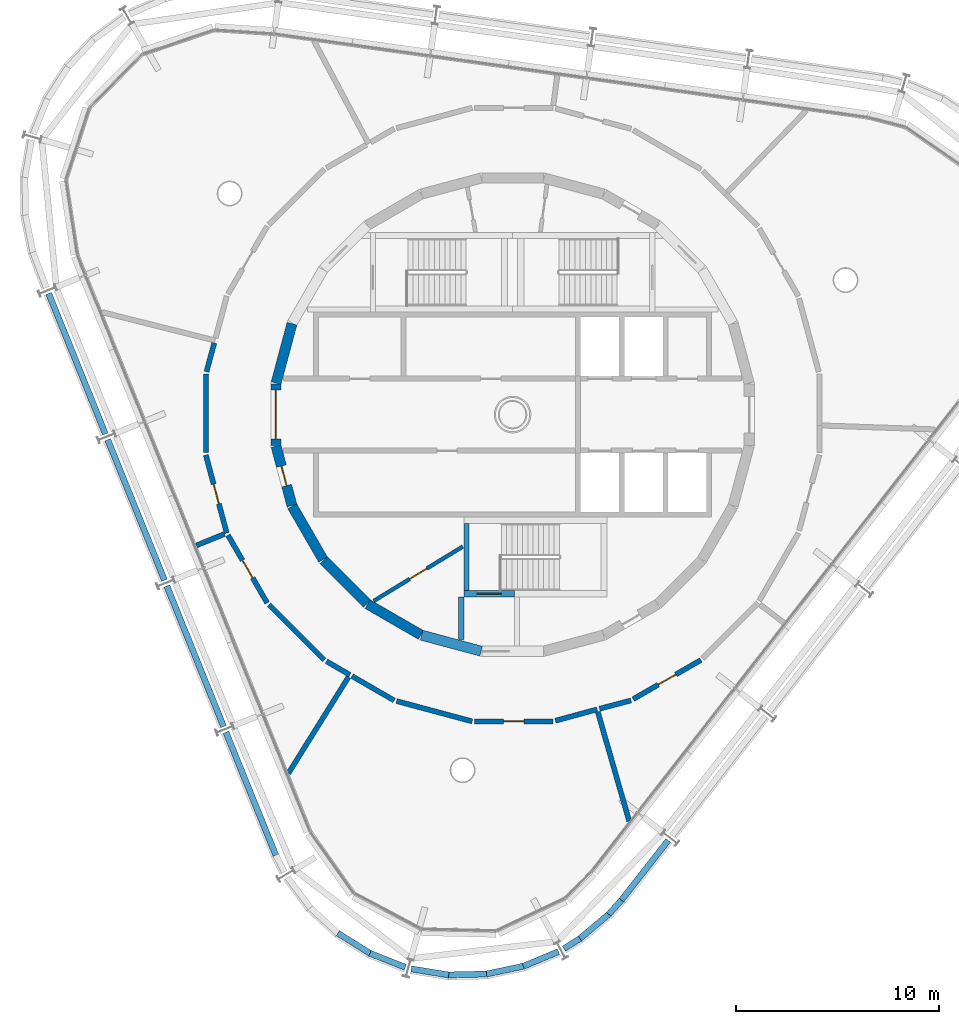
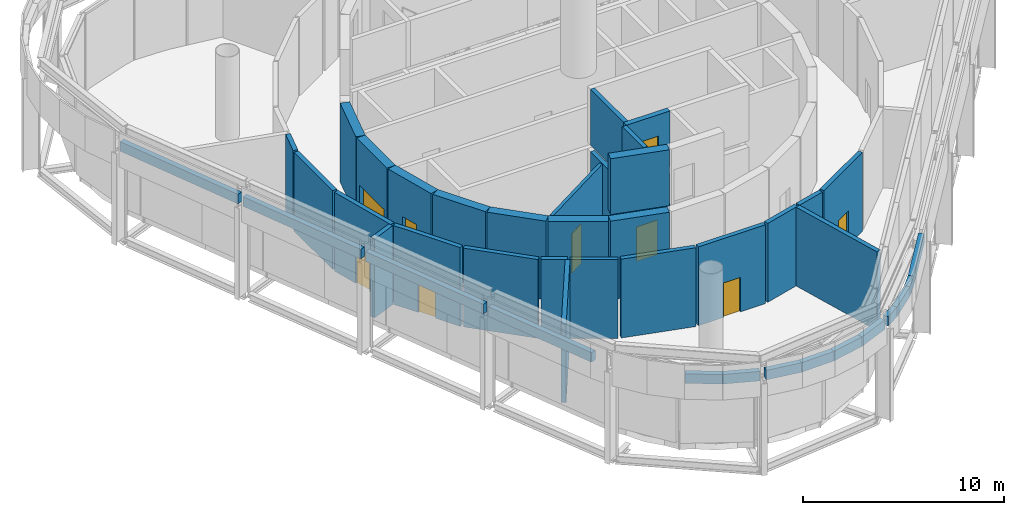
# One storey, part 9 of 15: 44 walls, 9 doors, 9 openings.
"""IFC4 building model written with IfcOpenShell, lengths in metres."""

from ifc_helpers import new_model, si_unit, direction, frame, frame_2d, origin, place, context, subcontext, project, spatial, rectangle, extrude, material, layer, layer_set, type_object, element, fill, save


model = new_model("IFC4")

# Units and contexts
model_context = context("Model", 3, precision=1e-05, world=origin(), true_north=direction((0.0, 1.0)))
body_context = subcontext(model_context, "Body", "Model", "MODEL_VIEW")
ifc_project = project(units=[si_unit("LENGTHUNIT", "METRE"), si_unit("AREAUNIT", "SQUARE_METRE"), si_unit("VOLUMEUNIT", "CUBIC_METRE"), si_unit("PLANEANGLEUNIT", "RADIAN"), si_unit("MASSUNIT", "GRAM", prefix="KILO")], contexts=[model_context])

# Site, building, storey
site_placement = place(None, origin())
site = spatial("IfcSite", under=ifc_project, at=site_placement, CompositionType="ELEMENT")
building_placement = place(site_placement, origin())
building = spatial("IfcBuilding", under=site, at=building_placement, Name="Spindle Arch Residences", CompositionType="ELEMENT")
storey_placement = place(building_placement, frame((0.0, 0.0, 366.199951171875)))
storey = spatial("IfcBuildingStorey", under=building, at=storey_placement, Name="L94", CompositionType="ELEMENT", Elevation=366.199951171875)

# Wall
ifc_material_1 = material(Name="Concrete C50/60", Category="concrete")
ifc_layer_1 = layer(ifc_material_1, 0.5)
ifc_layer_set_1 = layer_set([ifc_layer_1], Name="Core outline wall 500")
wall_type_1 = type_object("IfcWallType", Name="Core outline wall 500", PredefinedType="SHEAR", material=ifc_layer_set_1)
wall_1_placement = place(storey_placement, frame((-10.858154296875, 4.479248046875, 0.0), z_axis=(0.0, 0.0, 1.0), x_axis=(-0.258734743916, -0.965948410781, 0.0)))
element("IfcWall", 1, at=wall_1_placement, inside=storey, type_object=wall_type_1, Name="Core outline wall 17", PredefinedType="SHEAR", context=body_context, shape_type="SweptSolid", body=[
    extrude(rectangle(XDim=3.03271484375, YDim=0.5, at=frame_2d((1.516357421875, 0.0))), origin(), (0.0, 0.0, 1.0), 4.800048828125),
])

# Wall, opening, door
wall_2_placement = place(storey_placement, frame((-11.647216796875, 1.516357421875, 0.0), z_axis=(0.0, 0.0, 1.0), x_axis=(0.0, -1.0, 0.0)))
wall_2 = element("IfcWall", 2, at=wall_2_placement, inside=storey, type_object=wall_type_1, Name="Core outline wall 18", PredefinedType="SHEAR", context=body_context, shape_type="SweptSolid", body=[
    extrude(rectangle(XDim=3.03271484375, YDim=0.5, at=frame_2d((1.516357421875, 0.0))), origin(), (0.0, 0.0, 1.0), 4.800048828125),
])
opening_1_placement = place(wall_2_placement, frame((0.31640625, 0.0, 0.0)))
opening_1 = element("IfcOpeningElement", 3, at=opening_1_placement, cuts=wall_2, Name="Opening L94-LE01", PredefinedType="OPENING", context=body_context, shape_type="SweptSolid", body=[
    extrude(rectangle(XDim=2.39990234375, YDim=2.10009765625, at=frame_2d((1.199951171875, 1.050048828125))), frame((0.0, 0.260009765625, 0.0), z_axis=(0.0, -1.0, 0.0), x_axis=(1.0, 0.0, 0.0)), (0.0, 0.0, 1.0), 0.52001953125),
])
ifc_material_2 = material(Name="Steel, fire-resisting door", Category="steel")
door_type_1 = type_object("IfcDoorType", Name="Lift lobby entrance door 2400x2100", OperationType="DOUBLE_DOOR_SINGLE_SWING", PredefinedType="DOOR", material=ifc_material_2)
door_1_placement = place(opening_1_placement, origin())
door_1 = element("IfcDoor", 4, at=door_1_placement, inside=storey, type_object=door_type_1, Name="Lift lobby entrance door L94-LE01", OperationType="DOUBLE_DOOR_SINGLE_SWING", OverallHeight=2.10009765625, OverallWidth=2.39990234375, PredefinedType="DOOR", context=body_context, shape_type="SweptSolid", body=[
    extrude(rectangle(XDim=2.39990234375, YDim=2.10009765625, at=frame_2d((1.199951171875, 1.050048828125))), frame((0.0, 0.02490234375, 0.0), z_axis=(0.0, -1.0, 0.0), x_axis=(1.0, 0.0, 0.0)), (0.0, 0.0, 1.0), 0.050048828125),
])
fill(opening_1, door_1)

wall_3_placement = place(storey_placement, frame((-11.642822265625, -1.5498046875, 0.0), z_axis=(0.0, 0.0, 1.0), x_axis=(0.258734743916, -0.965948410781, 0.0)))
wall_3 = element("IfcWall", 5, at=wall_3_placement, inside=storey, type_object=wall_type_1, Name="Core outline wall 19", PredefinedType="SHEAR", context=body_context, shape_type="SweptSolid", body=[
    extrude(rectangle(XDim=3.03271484375, YDim=0.5, at=frame_2d((1.516357421875, 0.0))), origin(), (0.0, 0.0, 1.0), 4.800048828125),
])
opening_2_placement = place(wall_3_placement, frame((1.016357421875, 0.0, 0.0)))
opening_2 = element("IfcOpeningElement", 6, at=opening_2_placement, cuts=wall_3, Name="Opening L94-PD09", PredefinedType="OPENING", context=body_context, shape_type="SweptSolid", body=[
    extrude(rectangle(XDim=1.0, YDim=2.39990234375, at=frame_2d((0.5, 1.199951171875))), frame((0.0, 0.260009765625, 0.0), z_axis=(0.0, -1.0, 0.0), x_axis=(1.0, 0.0, 0.0)), (0.0, 0.0, 1.0), 0.52001953125),
])
ifc_material_3 = material(Name="Steel, fire-resisting door", Category="steel")
door_type_2 = type_object("IfcDoorType", Name="Plant room door 1000x2400", OperationType="SINGLE_SWING_LEFT", PredefinedType="DOOR", material=ifc_material_3)
door_2_placement = place(opening_2_placement, origin())
door_2 = element("IfcDoor", 7, at=door_2_placement, inside=storey, type_object=door_type_2, Name="Plant room door L94-PD09", OperationType="SINGLE_SWING_RIGHT", OverallHeight=2.39990234375, OverallWidth=1.0, PredefinedType="DOOR", context=body_context, shape_type="SweptSolid", body=[
    extrude(rectangle(XDim=1.0, YDim=2.39990234375, at=frame_2d((0.5, 1.199951171875))), frame((0.0, 0.02490234375, 0.0), z_axis=(0.0, -1.0, 0.0), x_axis=(1.0, 0.0, 0.0)), (0.0, 0.0, 1.0), 0.050048828125),
])
fill(opening_2, door_2)

# Walls
wall_4_placement = place(storey_placement, frame((-10.84521484375, -4.510498046875, 0.0), z_axis=(0.0, 0.0, 1.0), x_axis=(0.500087131594, -0.865975092491, 0.0)))
element("IfcWall", 8, at=wall_4_placement, inside=storey, type_object=wall_type_1, Name="Core outline wall 20", PredefinedType="SHEAR", context=body_context, shape_type="SweptSolid", body=[
    extrude(rectangle(XDim=3.03271484375, YDim=0.5, at=frame_2d((1.516357421875, 0.0))), origin(), (0.0, 0.0, 1.0), 4.800048828125),
])
wall_5_placement = place(storey_placement, frame((-9.30810546875, -7.163818359375, 0.0), z_axis=(0.0, 0.0, 1.0), x_axis=(0.707106781187, -0.707106781187, 0.0)))
element("IfcWall", 9, at=wall_5_placement, inside=storey, type_object=wall_type_1, Name="Core outline wall 21", PredefinedType="SHEAR", context=body_context, shape_type="SweptSolid", body=[
    extrude(rectangle(XDim=3.032470703125, YDim=0.5, at=frame_2d((1.51611328125, 0.0))), origin(), (0.0, 0.0, 1.0), 4.800048828125),
])
for number, where, z_axis, x_axis, name in (
    (10, (-7.13671875, -9.32861328125, 0.0), (0.0, 0.0, 1.0), (0.865975092491, -0.500087131594, 0.0), "Core outline wall 22"),
    (11, (-4.479248046875, -10.858154296875, 0.0), (0.0, 0.0, 1.0), (0.965948410781, -0.258734743916, 0.0), "Core outline wall 23"),
):
    element("IfcWall", number, at=place(storey_placement, frame(where, z_axis=z_axis, x_axis=x_axis)), inside=storey, type_object=wall_type_1, Name=name, PredefinedType="SHEAR", context=body_context, shape_type="SweptSolid", body=[
        extrude(rectangle(XDim=3.03271484375, YDim=0.5, at=frame_2d((1.516357421875, 0.0))), origin(), (0.0, 0.0, 1.0), 4.800048828125),
    ])
wall_6_placement = place(storey_placement, frame((-4.479248046875, -10.858154296875, 5.199951171875), z_axis=(0.0, 0.0, 1.0), x_axis=(0.965948410781, -0.258734743916, 0.0)))
element("IfcWall", 12, at=wall_6_placement, inside=storey, type_object=wall_type_1, Name="Head-house ST-3 outer wall", PredefinedType="SHEAR", context=body_context, shape_type="SweptSolid", body=[
    extrude(rectangle(XDim=3.03271484375, YDim=0.5, at=frame_2d((1.516357421875, 0.0))), origin(), (0.0, 0.0, 1.0), 3.400146484375),
])
ifc_material_4 = material(Name="Concrete C40/50", Category="concrete")
ifc_layer_2 = layer(ifc_material_4, 0.300048828125)
ifc_layer_set_2 = layer_set([ifc_layer_2], Name="Crown parapet infill 580")
wall_type_2 = type_object("IfcWallType", Name="Crown parapet infill 580", PredefinedType="PARAPET", material=ifc_layer_set_2)
wall_7_placement = place(storey_placement, frame((-22.83642578125, 5.966796875, 5.199951171875), z_axis=(0.0, 0.0, 1.0), x_axis=(0.374607955373, -0.927183304299, 0.0)))
element("IfcWall", 13, at=wall_7_placement, inside=storey, type_object=wall_type_2, Name="Crown parapet infill 12.1", PredefinedType="PARAPET", context=body_context, shape_type="SweptSolid", body=[
    extrude(rectangle(XDim=7.465576171875, YDim=0.300048828125, at=frame_2d((3.73291015625, 0.0))), origin(), (0.0, 0.0, 1.0), 0.580078125),
])
wall_8_placement = place(storey_placement, frame((-19.927490234375, -1.2333984375, 5.199951171875), z_axis=(0.0, 0.0, 1.0), x_axis=(0.374596597098, -0.927187893279, 0.0)))
element("IfcWall", 14, at=wall_8_placement, inside=storey, type_object=wall_type_2, Name="Crown parapet infill 13.1", PredefinedType="PARAPET", context=body_context, shape_type="SweptSolid", body=[
    extrude(rectangle(XDim=7.4658203125, YDim=0.300048828125, at=frame_2d((3.73291015625, 0.0))), origin(), (0.0, 0.0, 1.0), 0.580078125),
])
wall_9_placement = place(storey_placement, frame((-17.018310546875, -8.43359375, 5.199951171875), z_axis=(0.0, 0.0, 1.0), x_axis=(0.374607955373, -0.927183304299, 0.0)))
element("IfcWall", 15, at=wall_9_placement, inside=storey, type_object=wall_type_2, Name="Crown parapet infill 14.1", PredefinedType="PARAPET", context=body_context, shape_type="SweptSolid", body=[
    extrude(rectangle(XDim=7.465576171875, YDim=0.300048828125, at=frame_2d((3.73291015625, 0.0))), origin(), (0.0, 0.0, 1.0), 0.580078125),
])
wall_10_placement = place(storey_placement, frame((-14.109375, -15.6337890625, 5.199951171875), z_axis=(0.0, 0.0, 1.0), x_axis=(0.375946149404, -0.926641512532, 0.0)))
element("IfcWall", 16, at=wall_10_placement, inside=storey, type_object=wall_type_2, Name="Crown parapet infill 15.1", PredefinedType="PARAPET", context=body_context, shape_type="SweptSolid", body=[
    extrude(rectangle(XDim=6.53564453125, YDim=0.300048828125, at=frame_2d((3.267822265625, 0.0))), origin(), (0.0, 0.0, 1.0), 0.580078125),
])
wall_11_placement = place(storey_placement, frame((-8.59619140625, -25.528076171875, 5.199951171875), z_axis=(0.0, 0.0, 1.0), x_axis=(0.847362186993, -0.531015370827, 0.0)))
element("IfcWall", 17, at=wall_11_placement, inside=storey, type_object=wall_type_2, Name="Crown parapet infill 16.3", PredefinedType="PARAPET", context=body_context, shape_type="SweptSolid", body=[
    extrude(rectangle(XDim=1.877685546875, YDim=0.300048828125, at=frame_2d((0.93896484375, 0.0))), origin(), (0.0, 0.0, 1.0), 0.580078125),
])
wall_12_placement = place(storey_placement, frame((-7.017333984375, -26.518798828125, 5.199951171875), z_axis=(0.0, 0.0, 1.0), x_axis=(0.930470422732, -0.366367018741, 0.0)))
element("IfcWall", 18, at=wall_12_placement, inside=storey, type_object=wall_type_2, Name="Crown parapet infill 16.4", PredefinedType="PARAPET", context=body_context, shape_type="SweptSolid", body=[
    extrude(rectangle(XDim=1.87060546875, YDim=0.300048828125, at=frame_2d((0.935302734375, 0.0))), origin(), (0.0, 0.0, 1.0), 0.580078125),
])
wall_13_placement = place(storey_placement, frame((-4.987548828125, -27.283447265625, 5.199951171875), z_axis=(0.0, 0.0, 1.0), x_axis=(0.987138338559, -0.159868385079, 0.0)))
element("IfcWall", 19, at=wall_13_placement, inside=storey, type_object=wall_type_2, Name="Crown parapet infill 17.1", PredefinedType="PARAPET", context=body_context, shape_type="SweptSolid", body=[
    extrude(rectangle(XDim=1.870849609375, YDim=0.300048828125, at=frame_2d((0.935546875, 0.0))), origin(), (0.0, 0.0, 1.0), 0.580078125),
])
for number, where, z_axis, x_axis, name in (
    (20, (-3.154541015625, -27.58154296875, 5.199951171875), (0.0, 0.0, 1.0), (0.999704311924, 0.024316429023, 0.0), "Crown parapet infill 17.2"),
    (21, (-1.291259765625, -27.53759765625, 5.199951171875), (0.0, 0.0, 1.0), (0.978228525842, 0.207530603116, 0.0), "Crown parapet infill 17.3"),
):
    element("IfcWall", number, at=place(storey_placement, frame(where, z_axis=z_axis, x_axis=x_axis)), inside=storey, type_object=wall_type_2, Name=name, PredefinedType="PARAPET", context=body_context, shape_type="SweptSolid", body=[
        extrude(rectangle(XDim=1.87744140625, YDim=0.300048828125, at=frame_2d((0.938720703125, 0.0))), origin(), (0.0, 0.0, 1.0), 0.580078125),
    ])
wall_14_placement = place(storey_placement, frame((0.5322265625, -27.152099609375, 5.199951171875), z_axis=(0.0, 0.0, 1.0), x_axis=(0.923416325606, 0.383799804071, 0.0)))
element("IfcWall", 22, at=wall_14_placement, inside=storey, type_object=wall_type_2, Name="Crown parapet infill 17.4", PredefinedType="PARAPET", context=body_context, shape_type="SweptSolid", body=[
    extrude(rectangle(XDim=1.870849609375, YDim=0.300048828125, at=frame_2d((0.935546875, 0.0))), origin(), (0.0, 0.0, 1.0), 0.580078125),
])
wall_15_placement = place(storey_placement, frame((2.522705078125, -26.2900390625, 5.199951171875), z_axis=(0.0, 0.0, 1.0), x_axis=(0.846180693164, 0.532896082287, 0.0)))
element("IfcWall", 23, at=wall_15_placement, inside=storey, type_object=wall_type_2, Name="Crown parapet infill 18.1", PredefinedType="PARAPET", context=body_context, shape_type="SweptSolid", body=[
    extrude(rectangle(XDim=0.938232421875, YDim=0.300048828125, at=frame_2d((0.46923828125, 0.0))), origin(), (0.0, 0.0, 1.0), 0.580078125),
])
wall_16_placement = place(storey_placement, frame((3.30810546875, -25.796142578125, 5.199951171875), z_axis=(0.0, 0.0, 1.0), x_axis=(0.764363704837, 0.644785333835, 0.0)))
element("IfcWall", 24, at=wall_16_placement, inside=storey, type_object=wall_type_2, Name="Crown parapet infill 18.2", PredefinedType="PARAPET", context=body_context, shape_type="SweptSolid", body=[
    extrude(rectangle(XDim=1.874267578125, YDim=0.300048828125, at=frame_2d((0.93701171875, 0.0))), origin(), (0.0, 0.0, 1.0), 0.580078125),
])
wall_17_placement = place(storey_placement, frame((4.733154296875, -24.594970703125, 5.199951171875), z_axis=(0.0, 0.0, 1.0), x_axis=(0.668060859654, 0.744106637384, 0.0)))
element("IfcWall", 25, at=wall_17_placement, inside=storey, type_object=wall_type_2, Name="Crown parapet infill 18.3", PredefinedType="PARAPET", context=body_context, shape_type="SweptSolid", body=[
    extrude(rectangle(XDim=0.940673828125, YDim=0.300048828125, at=frame_2d((0.47021484375, 0.0))), origin(), (0.0, 0.0, 1.0), 0.580078125),
])
wall_18_placement = place(storey_placement, frame((5.3583984375, -23.898681640625, 5.199951171875), z_axis=(0.0, 0.0, 1.0), x_axis=(0.61616902221, 0.787613951165, 0.0)))
element("IfcWall", 26, at=wall_18_placement, inside=storey, type_object=wall_type_2, Name="Crown parapet infill 18.4", PredefinedType="PARAPET", context=body_context, shape_type="SweptSolid", body=[
    extrude(rectangle(XDim=3.735107421875, YDim=0.300048828125, at=frame_2d((1.86767578125, 0.0))), origin(), (0.0, 0.0, 1.0), 0.580078125),
])

# Wall, opening, door
ifc_material_5 = material(Name="Concrete C25/30 wall", Category="concrete")
ifc_layer_3 = layer(ifc_material_5, 0.25)
ifc_layer_set_3 = layer_set([ifc_layer_3], Name="Partition EI 120 250 plant")
wall_type_3 = type_object("IfcWallType", Name="Partition EI 120 250 plant", PredefinedType="PARTITIONING", material=ifc_layer_set_3)
wall_19_placement = place(storey_placement, frame((-15.10009765625, -1.989990234375, 0.0), z_axis=(0.0, 0.0, 1.0), x_axis=(0.259072679895, -0.965857829358, 0.0)))
wall_19 = element("IfcWall", 27, at=wall_19_placement, inside=storey, type_object=wall_type_3, Name="L94-W001", PredefinedType="PARTITIONING", context=body_context, shape_type="SweptSolid", body=[
    extrude(rectangle(XDim=3.975830078125, YDim=0.25, at=frame_2d((1.98779296875, 0.0))), origin(), (0.0, 0.0, 1.0), 4.800048828125),
])
opening_3_placement = place(wall_19_placement, frame((1.48779296875, 0.0, 0.0)))
opening_3 = element("IfcOpeningElement", 28, at=opening_3_placement, cuts=wall_19, Name="Opening L94-D05", PredefinedType="OPENING", context=body_context, shape_type="SweptSolid", body=[
    extrude(rectangle(XDim=1.0, YDim=2.10009765625, at=frame_2d((0.5, 1.050048828125))), frame((0.0, 0.135009765625, 0.0), z_axis=(0.0, -1.0, 0.0), x_axis=(1.0, 0.0, 0.0)), (0.0, 0.0, 1.0), 0.27001953125),
])
ifc_material_6 = material(Name="Steel door leaf, painted", Category="steel")
door_type_3 = type_object("IfcDoorType", Name="Door 1000x2100 EI 60", OperationType="SINGLE_SWING_LEFT", PredefinedType="DOOR", material=ifc_material_6)
door_3_placement = place(opening_3_placement, origin())
door_3 = element("IfcDoor", 29, at=door_3_placement, inside=storey, type_object=door_type_3, Name="L94-D05", OperationType="SINGLE_SWING_LEFT", OverallHeight=2.10009765625, OverallWidth=1.0, PredefinedType="DOOR", context=body_context, shape_type="SweptSolid", body=[
    extrude(rectangle(XDim=1.0, YDim=2.10009765625, at=frame_2d((0.5, 1.050048828125))), frame((0.0, 0.02490234375, 0.0), z_axis=(0.0, -1.0, 0.0), x_axis=(1.0, 0.0, 0.0)), (0.0, 0.0, 1.0), 0.050048828125),
])
fill(opening_3, door_3)

# Walls
wall_20_placement = place(storey_placement, frame((-15.10009765625, 1.989990234375, 0.0), z_axis=(0.0, 0.0, 1.0), x_axis=(0.0, -1.0, 0.0)))
element("IfcWall", 30, at=wall_20_placement, inside=storey, type_object=wall_type_3, Name="L94-W002", PredefinedType="PARTITIONING", context=body_context, shape_type="SweptSolid", body=[
    extrude(rectangle(XDim=3.85498046875, YDim=0.25, at=frame_2d((1.927490234375, 0.0))), origin(), (0.0, 0.0, 1.0), 4.800048828125),
])
wall_21_placement = place(storey_placement, frame((-14.6826171875, 3.529296875, 0.0), z_axis=(0.0, 0.0, 1.0), x_axis=(-0.261753947787, -0.9651346387, 0.0)))
element("IfcWall", 31, at=wall_21_placement, inside=storey, type_object=wall_type_3, Name="L94-W004", PredefinedType="PARTITIONING", context=body_context, shape_type="SweptSolid", body=[
    extrude(rectangle(XDim=1.469970703125, YDim=0.25, at=frame_2d((0.73486328125, 0.0))), origin(), (0.0, 0.0, 1.0), 4.800048828125),
])
wall_22_placement = place(storey_placement, frame((-14.185791015625, -5.87744140625, 0.0), z_axis=(0.0, 0.0, 1.0), x_axis=(-0.925476228273, -0.378805690165, 0.0)))
element("IfcWall", 32, at=wall_22_placement, inside=storey, type_object=wall_type_3, Name="L94-W005", PredefinedType="PARTITIONING", context=body_context, shape_type="SweptSolid", body=[
    extrude(rectangle(XDim=1.48486328125, YDim=0.25, at=frame_2d((0.742431640625, 0.0))), origin(), (0.0, 0.0, 1.0), 4.800048828125),
])

# Wall, opening, door
wall_23_placement = place(storey_placement, frame((-14.00732421875, -5.938232421875, 0.0), z_axis=(0.0, 0.0, 1.0), x_axis=(0.500708693508, -0.865615852585, 0.0)))
wall_23 = element("IfcWall", 33, at=wall_23_placement, inside=storey, type_object=wall_type_3, Name="L94-W006", PredefinedType="PARTITIONING", context=body_context, shape_type="SweptSolid", body=[
    extrude(rectangle(XDim=3.84912109375, YDim=0.25, at=frame_2d((1.924560546875, 0.0))), origin(), (0.0, 0.0, 1.0), 4.800048828125),
])
opening_4_placement = place(wall_23_placement, frame((1.424560546875, 0.0, 0.0)))
opening_4 = element("IfcOpeningElement", 34, at=opening_4_placement, cuts=wall_23, Name="Opening L94-D03", PredefinedType="OPENING", context=body_context, shape_type="SweptSolid", body=[
    extrude(rectangle(XDim=1.0, YDim=2.10009765625, at=frame_2d((0.5, 1.050048828125))), frame((0.0, 0.135009765625, 0.0), z_axis=(0.0, -1.0, 0.0), x_axis=(1.0, 0.0, 0.0)), (0.0, 0.0, 1.0), 0.27001953125),
])
door_4_placement = place(opening_4_placement, origin())
door_4 = element("IfcDoor", 35, at=door_4_placement, inside=storey, type_object=door_type_3, Name="L94-D03", OperationType="SINGLE_SWING_LEFT", OverallHeight=2.10009765625, OverallWidth=1.0, PredefinedType="DOOR", context=body_context, shape_type="SweptSolid", body=[
    extrude(rectangle(XDim=1.0, YDim=2.10009765625, at=frame_2d((0.5, 1.050048828125))), frame((0.0, 0.02490234375, 0.0), z_axis=(0.0, -1.0, 0.0), x_axis=(1.0, 0.0, 0.0)), (0.0, 0.0, 1.0), 0.050048828125),
])
fill(opening_4, door_4)

# Walls
wall_24_placement = place(storey_placement, frame((-11.99169921875, -9.3583984375, 0.0), z_axis=(0.0, 0.0, 1.0), x_axis=(0.707106781187, -0.707106781187, 0.0)))
element("IfcWall", 36, at=wall_24_placement, inside=storey, type_object=wall_type_3, Name="L94-W008", PredefinedType="PARTITIONING", context=body_context, shape_type="SweptSolid", body=[
    extrude(rectangle(XDim=3.84912109375, YDim=0.25, at=frame_2d((1.924560546875, 0.0))), origin(), (0.0, 0.0, 1.0), 4.800048828125),
])
wall_25_placement = place(storey_placement, frame((-9.161865234375, -12.142578125, 0.0), z_axis=(0.0, 0.0, 1.0), x_axis=(0.865225325987, -0.501383221968, 0.0)))
element("IfcWall", 37, at=wall_25_placement, inside=storey, type_object=wall_type_3, Name="L94-W011", PredefinedType="PARTITIONING", context=body_context, shape_type="SweptSolid", body=[
    extrude(rectangle(XDim=1.331298828125, YDim=0.25, at=frame_2d((0.66552734375, 0.0))), origin(), (0.0, 0.0, 1.0), 4.800048828125),
])
wall_26_placement = place(storey_placement, frame((-8.076171875, -12.916015625, 0.0), z_axis=(0.0, 0.0, 1.0), x_axis=(-0.529377395223, -0.848386452878, 0.0)))
element("IfcWall", 38, at=wall_26_placement, inside=storey, type_object=wall_type_3, Name="L94-W013", PredefinedType="PARTITIONING", context=body_context, shape_type="SweptSolid", body=[
    extrude(rectangle(XDim=5.579833984375, YDim=0.25, at=frame_2d((2.7900390625, 0.0))), origin(), (0.0, 0.0, 1.0), 4.800048828125),
])
wall_27_placement = place(storey_placement, frame((-7.90185546875, -12.87255859375, 0.0), z_axis=(0.0, 0.0, 1.0), x_axis=(0.865777653854, -0.500428870157, 0.0)))
element("IfcWall", 39, at=wall_27_placement, inside=storey, type_object=wall_type_3, Name="L94-W014", PredefinedType="PARTITIONING", context=body_context, shape_type="SweptSolid", body=[
    extrude(rectangle(XDim=2.39306640625, YDim=0.25, at=frame_2d((1.196533203125, 0.0))), origin(), (0.0, 0.0, 1.0), 4.800048828125),
])
wall_28_placement = place(storey_placement, frame((-5.709228515625, -14.102294921875, 0.0), z_axis=(0.0, 0.0, 1.0), x_axis=(0.965845546311, -0.259118468411, 0.0)))
element("IfcWall", 40, at=wall_28_placement, inside=storey, type_object=wall_type_3, Name="L94-W016", PredefinedType="PARTITIONING", context=body_context, shape_type="SweptSolid", body=[
    extrude(rectangle(XDim=3.850830078125, YDim=0.25, at=frame_2d((1.92529296875, 0.0))), origin(), (0.0, 0.0, 1.0), 4.800048828125),
])

# Wall, opening, door
wall_29_placement = place(storey_placement, frame((-1.864990234375, -15.10009765625, 0.0), z_axis=(0.0, 0.0, 1.0), x_axis=(1.0, 0.0, 0.0)))
wall_29 = element("IfcWall", 41, at=wall_29_placement, inside=storey, type_object=wall_type_3, Name="L94-W018", PredefinedType="PARTITIONING", context=body_context, shape_type="SweptSolid", body=[
    extrude(rectangle(XDim=3.85498046875, YDim=0.25, at=frame_2d((1.927490234375, 0.0))), origin(), (0.0, 0.0, 1.0), 4.800048828125),
])
opening_5_placement = place(wall_29_placement, frame((1.427490234375, 0.0, 0.0)))
opening_5 = element("IfcOpeningElement", 42, at=opening_5_placement, cuts=wall_29, Name="Opening L94-D01", PredefinedType="OPENING", context=body_context, shape_type="SweptSolid", body=[
    extrude(rectangle(XDim=1.0, YDim=2.10009765625, at=frame_2d((0.5, 1.050048828125))), frame((0.0, 0.135009765625, 0.0), z_axis=(0.0, -1.0, 0.0), x_axis=(1.0, 0.0, 0.0)), (0.0, 0.0, 1.0), 0.27001953125),
])
door_5_placement = place(opening_5_placement, origin())
door_5 = element("IfcDoor", 43, at=door_5_placement, inside=storey, type_object=door_type_3, Name="L94-D01", OperationType="SINGLE_SWING_LEFT", OverallHeight=2.10009765625, OverallWidth=1.0, PredefinedType="DOOR", context=body_context, shape_type="SweptSolid", body=[
    extrude(rectangle(XDim=1.0, YDim=2.10009765625, at=frame_2d((0.5, 1.050048828125))), frame((0.0, 0.02490234375, 0.0), z_axis=(0.0, -1.0, 0.0), x_axis=(1.0, 0.0, 0.0)), (0.0, 0.0, 1.0), 0.050048828125),
])
fill(opening_5, door_5)

# Walls
wall_30_placement = place(storey_placement, frame((2.110595703125, -15.067138671875, 0.0), z_axis=(0.0, 0.0, 1.0), x_axis=(0.964975741564, 0.262339128216, 0.0)))
element("IfcWall", 44, at=wall_30_placement, inside=storey, type_object=wall_type_3, Name="L94-W020", PredefinedType="PARTITIONING", context=body_context, shape_type="SweptSolid", body=[
    extrude(rectangle(XDim=2.123779296875, YDim=0.25, at=frame_2d((1.06201171875, 0.0))), origin(), (0.0, 0.0, 1.0), 4.800048828125),
])
wall_31_placement = place(storey_placement, frame((4.194580078125, -14.630126953125, 0.0), z_axis=(0.0, 0.0, 1.0), x_axis=(0.276091885253, -0.961131245407, 0.0)))
element("IfcWall", 45, at=wall_31_placement, inside=storey, type_object=wall_type_3, Name="L94-W023", PredefinedType="PARTITIONING", context=body_context, shape_type="SweptSolid", body=[
    extrude(rectangle(XDim=5.597412109375, YDim=0.25, at=frame_2d((2.798828125, 0.0))), origin(), (0.0, 0.0, 1.0), 4.800048828125),
])
wall_32_placement = place(storey_placement, frame((4.28076171875, -14.478271484375, 0.0), z_axis=(0.0, 0.0, 1.0), x_axis=(0.966999489871, 0.254778308709, 0.0)))
element("IfcWall", 46, at=wall_32_placement, inside=storey, type_object=wall_type_3, Name="L94-W024", PredefinedType="PARTITIONING", context=body_context, shape_type="SweptSolid", body=[
    extrude(rectangle(XDim=1.602294921875, YDim=0.25, at=frame_2d((0.80126953125, 0.0))), origin(), (0.0, 0.0, 1.0), 4.800048828125),
])

# Wall, opening, door
wall_33_placement = place(storey_placement, frame((5.938232421875, -14.00732421875, 0.0), z_axis=(0.0, 0.0, 1.0), x_axis=(0.865615852585, 0.500708693508, 0.0)))
wall_33 = element("IfcWall", 47, at=wall_33_placement, inside=storey, type_object=wall_type_3, Name="L94-W025", PredefinedType="PARTITIONING", context=body_context, shape_type="SweptSolid", body=[
    extrude(rectangle(XDim=3.84912109375, YDim=0.25, at=frame_2d((1.924560546875, 0.0))), origin(), (0.0, 0.0, 1.0), 4.800048828125),
])
opening_6_placement = place(wall_33_placement, frame((1.424560546875, 0.0, 0.0)))
opening_6 = element("IfcOpeningElement", 48, at=opening_6_placement, cuts=wall_33, Name="Opening L94-D02", PredefinedType="OPENING", context=body_context, shape_type="SweptSolid", body=[
    extrude(rectangle(XDim=1.0, YDim=2.10009765625, at=frame_2d((0.5, 1.050048828125))), frame((0.0, 0.135009765625, 0.0), z_axis=(0.0, -1.0, 0.0), x_axis=(1.0, 0.0, 0.0)), (0.0, 0.0, 1.0), 0.27001953125),
])
door_6_placement = place(opening_6_placement, origin())
door_6 = element("IfcDoor", 49, at=door_6_placement, inside=storey, type_object=door_type_3, Name="L94-D02", OperationType="SINGLE_SWING_LEFT", OverallHeight=2.10009765625, OverallWidth=1.0, PredefinedType="DOOR", context=body_context, shape_type="SweptSolid", body=[
    extrude(rectangle(XDim=1.0, YDim=2.10009765625, at=frame_2d((0.5, 1.050048828125))), frame((0.0, 0.02490234375, 0.0), z_axis=(0.0, -1.0, 0.0), x_axis=(1.0, 0.0, 0.0)), (0.0, 0.0, 1.0), 0.050048828125),
])
fill(opening_6, door_6)

ifc_material_7 = material(Name="Concrete C25/30", Category="concrete")
ifc_layer_4 = layer(ifc_material_7, 0.18994140625)
ifc_layer_set_4 = layer_set([ifc_layer_4], Name="Plant room partition 190")
wall_type_4 = type_object("IfcWallType", Name="Plant room partition 190", PredefinedType="PARTITIONING", material=ifc_layer_set_4)
wall_34_placement = place(storey_placement, frame((-2.451171875, -6.49462890625, 0.0), z_axis=(0.0, 0.0, 1.0), x_axis=(-0.853250115418, -0.521501908471, 0.0)))
wall_34 = element("IfcWall", 50, at=wall_34_placement, inside=storey, type_object=wall_type_4, Name="Core plant room partition", PredefinedType="PARTITIONING", context=body_context, shape_type="SweptSolid", body=[
    extrude(rectangle(XDim=5.137451171875, YDim=0.18994140625, at=frame_2d((2.56884765625, 0.0))), origin(), (0.0, 0.0, 1.0), 4.800048828125),
])
opening_7_placement = place(wall_34_placement, frame((2.068603515625, 0.0, 0.0)))
opening_7 = element("IfcOpeningElement", 51, at=opening_7_placement, cuts=wall_34, Name="Opening L94-PD05", PredefinedType="OPENING", context=body_context, shape_type="SweptSolid", body=[
    extrude(rectangle(XDim=1.0, YDim=2.39990234375, at=frame_2d((0.5, 1.199951171875))), frame((0.0, 0.10498046875, 0.0), z_axis=(0.0, -1.0, 0.0), x_axis=(1.0, 0.0, 0.0)), (0.0, 0.0, 1.0), 0.2099609375),
])
door_7_placement = place(opening_7_placement, origin())
door_7 = element("IfcDoor", 52, at=door_7_placement, inside=storey, type_object=door_type_2, Name="Plant room door L94-PD05", OperationType="SINGLE_SWING_RIGHT", OverallHeight=2.39990234375, OverallWidth=1.0, PredefinedType="DOOR", context=body_context, shape_type="SweptSolid", body=[
    extrude(rectangle(XDim=1.0, YDim=2.39990234375, at=frame_2d((0.5, 1.199951171875))), frame((0.0, 0.02490234375, 0.0), z_axis=(0.0, -1.0, 0.0), x_axis=(1.0, 0.0, 0.0)), (0.0, 0.0, 1.0), 0.050048828125),
])
fill(opening_7, door_7)

# Walls
ifc_material_8 = material(Name="Concrete C40/50", Category="concrete")
ifc_layer_5 = layer(ifc_material_8, 0.25)
ifc_layer_set_5 = layer_set([ifc_layer_5], Name="Stair airlock wall 250")
wall_type_5 = type_object("IfcWallType", Name="Stair airlock wall 250", PredefinedType="SHEAR", material=ifc_layer_set_5)
wall_35_placement = place(storey_placement, frame((-2.52490234375, -8.969970703125, 0.0), z_axis=(0.0, 0.0, 1.0), x_axis=(0.0, -1.0, 0.0)))
element("IfcWall", 53, at=wall_35_placement, inside=storey, type_object=wall_type_5, Name="Stair ST-3 airlock wall W", PredefinedType="SHEAR", context=body_context, shape_type="SweptSolid", body=[
    extrude(rectangle(XDim=2.110107421875, YDim=0.25, at=frame_2d((1.05517578125, 0.0))), origin(), (0.0, 0.0, 1.0), 4.800048828125),
])
wall_36_placement = place(storey_placement, frame((-2.52490234375, -8.969970703125, 5.199951171875), z_axis=(0.0, 0.0, 1.0), x_axis=(0.0, -1.0, 0.0)))
element("IfcWall", 54, at=wall_36_placement, inside=storey, type_object=wall_type_5, Name="Head-house ST-3 vestibule wall W", PredefinedType="SHEAR", context=body_context, shape_type="SweptSolid", body=[
    extrude(rectangle(XDim=2.110107421875, YDim=0.25, at=frame_2d((1.05517578125, 0.0))), origin(), (0.0, 0.0, 1.0), 3.400146484375),
])
ifc_material_9 = material(Name="Concrete C50/60", Category="concrete")
ifc_layer_6 = layer(ifc_material_9, 0.25)
ifc_layer_set_6 = layer_set([ifc_layer_6], Name="Stair enclosure wall 250")
wall_type_6 = type_object("IfcWallType", Name="Stair enclosure wall 250", PredefinedType="SHEAR", material=ifc_layer_set_6)
wall_37_placement = place(storey_placement, frame((-2.27490234375, -8.669921875, 0.0), z_axis=(0.0, 0.0, 1.0), x_axis=(0.0, 1.0, 0.0)))
element("IfcWall", 55, at=wall_37_placement, inside=storey, type_object=wall_type_6, Name="Stair ST-3 enclosure wall W", PredefinedType="SHEAR", context=body_context, shape_type="SweptSolid", body=[
    extrude(rectangle(XDim=3.31982421875, YDim=0.25, at=frame_2d((1.659912109375, 0.0))), origin(), (0.0, 0.0, 1.0), 4.800048828125),
])
wall_38_placement = place(storey_placement, frame((-2.27490234375, -8.669921875, 5.199951171875), z_axis=(0.0, 0.0, 1.0), x_axis=(0.0, 1.0, 0.0)))
element("IfcWall", 56, at=wall_38_placement, inside=storey, type_object=wall_type_6, Name="Head-house ST-3 wall W", PredefinedType="SHEAR", context=body_context, shape_type="SweptSolid", body=[
    extrude(rectangle(XDim=3.31982421875, YDim=0.25, at=frame_2d((1.659912109375, 0.0))), origin(), (0.0, 0.0, 1.0), 3.400146484375),
])

# Wall, opening, door
ifc_material_10 = material(Name="Concrete C50/60", Category="concrete")
ifc_layer_7 = layer(ifc_material_10, 0.300048828125)
ifc_layer_set_7 = layer_set([ifc_layer_7], Name="Stair enclosure wall 300")
wall_type_7 = type_object("IfcWallType", Name="Stair enclosure wall 300", PredefinedType="SHEAR", material=ifc_layer_set_7)
wall_39_placement = place(storey_placement, frame((-2.39990234375, -8.820068359375, 0.0), z_axis=(0.0, 0.0, 1.0), x_axis=(1.0, 0.0, 0.0)))
wall_39 = element("IfcWall", 57, at=wall_39_placement, inside=storey, type_object=wall_type_7, Name="Stair ST-3 door wall", PredefinedType="SHEAR", context=body_context, shape_type="SweptSolid", body=[
    extrude(rectangle(XDim=2.5, YDim=0.300048828125, at=frame_2d((1.25, 0.0))), origin(), (0.0, 0.0, 1.0), 4.800048828125),
])
opening_8_placement = place(wall_39_placement, frame((0.64990234375, 0.0, 0.0)))
opening_8 = element("IfcOpeningElement", 58, at=opening_8_placement, cuts=wall_39, Name="Opening L94-SD03", PredefinedType="OPENING", context=body_context, shape_type="SweptSolid", body=[
    extrude(rectangle(XDim=1.199951171875, YDim=2.10009765625, at=frame_2d((0.60009765625, 1.050048828125))), frame((0.0, 0.16015625, 0.0), z_axis=(0.0, -1.0, 0.0), x_axis=(1.0, 0.0, 0.0)), (0.0, 0.0, 1.0), 0.320068359375),
])
ifc_material_11 = material(Name="Steel, fire-resisting door", Category="steel")
door_type_4 = type_object("IfcDoorType", Name="Stair door 1200x2100", OperationType="SINGLE_SWING_RIGHT", PredefinedType="DOOR", material=ifc_material_11)
door_8_placement = place(opening_8_placement, origin())
door_8 = element("IfcDoor", 59, at=door_8_placement, inside=storey, type_object=door_type_4, Name="Stair door L94-SD03", OperationType="SINGLE_SWING_LEFT", OverallHeight=2.10009765625, OverallWidth=1.199951171875, PredefinedType="DOOR", context=body_context, shape_type="SweptSolid", body=[
    extrude(rectangle(XDim=1.199951171875, YDim=2.10009765625, at=frame_2d((0.60009765625, 1.050048828125))), frame((0.0, 0.02490234375, 0.0), z_axis=(0.0, -1.0, 0.0), x_axis=(1.0, 0.0, 0.0)), (0.0, 0.0, 1.0), 0.050048828125),
])
fill(opening_8, door_8)

wall_40_placement = place(storey_placement, frame((-2.39990234375, -8.820068359375, 5.199951171875), z_axis=(0.0, 0.0, 1.0), x_axis=(1.0, 0.0, 0.0)))
wall_40 = element("IfcWall", 60, at=wall_40_placement, inside=storey, type_object=wall_type_7, Name="Head-house ST-3 door wall", PredefinedType="SHEAR", context=body_context, shape_type="SweptSolid", body=[
    extrude(rectangle(XDim=2.5, YDim=0.300048828125, at=frame_2d((1.25, 0.0))), origin(), (0.0, 0.0, 1.0), 3.400146484375),
])
opening_9_placement = place(wall_40_placement, frame((0.64990234375, 0.0, 0.0)))
opening_9 = element("IfcOpeningElement", 61, at=opening_9_placement, cuts=wall_40, Name="Opening L94-SD06", PredefinedType="OPENING", context=body_context, shape_type="SweptSolid", body=[
    extrude(rectangle(XDim=1.199951171875, YDim=2.10009765625, at=frame_2d((0.60009765625, 1.050048828125))), frame((0.0, 0.16015625, 0.0), z_axis=(0.0, -1.0, 0.0), x_axis=(1.0, 0.0, 0.0)), (0.0, 0.0, 1.0), 0.320068359375),
])
door_9_placement = place(opening_9_placement, origin())
door_9 = element("IfcDoor", 62, at=door_9_placement, inside=storey, type_object=door_type_4, Name="Stair door L94-SD06", OperationType="SINGLE_SWING_RIGHT", OverallHeight=2.10009765625, OverallWidth=1.199951171875, PredefinedType="DOOR", context=body_context, shape_type="SweptSolid", body=[
    extrude(rectangle(XDim=1.199951171875, YDim=2.10009765625, at=frame_2d((0.60009765625, 1.050048828125))), frame((0.0, 0.02490234375, 0.0), z_axis=(0.0, -1.0, 0.0), x_axis=(1.0, 0.0, 0.0)), (0.0, 0.0, 1.0), 0.050048828125),
])
fill(opening_9, door_9)

save(model, "model.ifc")
